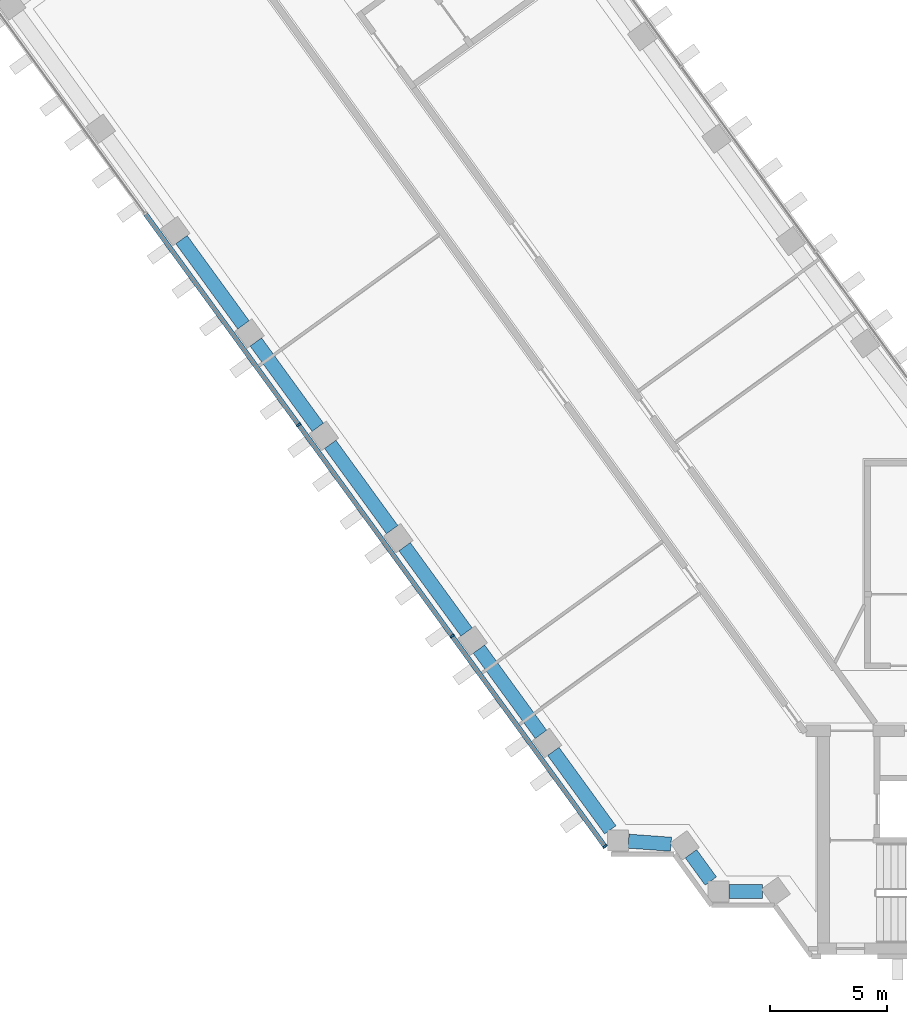
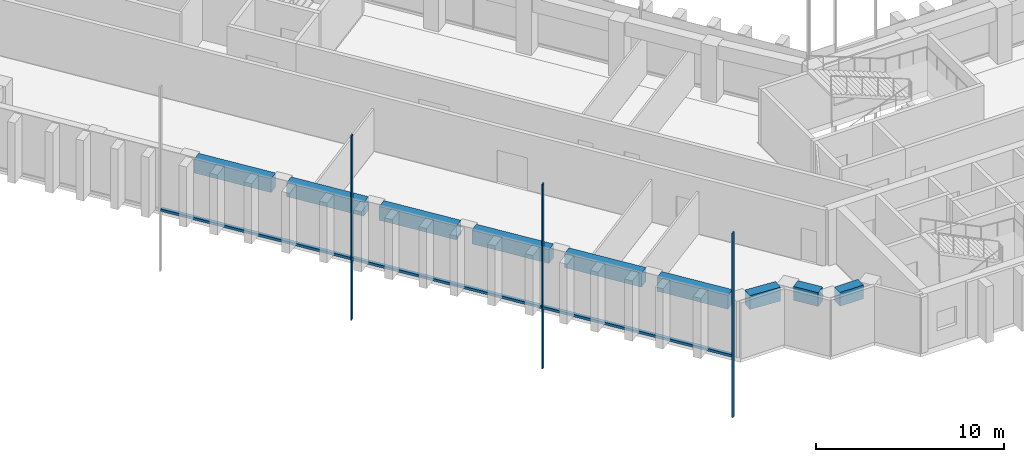
# One storey, part 2 of 16: 9 beams, 6 members, 1 element without a shape of its own.
"""IFC4 building model written with IfcOpenShell, lengths in metres."""

from ifc_helpers import new_model, si_unit, direction, frame, origin, origin_2d, place, context, subcontext, project, spatial, rectangle, extrude, material, material_profile, profile_set, type_object, element, aggregate, save


model = new_model("IFC4")

# Units and contexts
model_context = context("Model", 3, precision=1e-05, world=origin(), true_north=direction((0.0, 1.0)))
body_context = subcontext(model_context, "Body", "Model", "MODEL_VIEW")
ifc_project = project(units=[si_unit("LENGTHUNIT", "METRE"), si_unit("AREAUNIT", "SQUARE_METRE"), si_unit("VOLUMEUNIT", "CUBIC_METRE"), si_unit("PLANEANGLEUNIT", "RADIAN"), si_unit("MASSUNIT", "GRAM", prefix="KILO")], contexts=[model_context])

# Site, building, storey
site_placement = place(None, origin())
site = spatial("IfcSite", under=ifc_project, at=site_placement, CompositionType="ELEMENT")
building_placement = place(site_placement, origin())
building = spatial("IfcBuilding", under=site, at=building_placement, Name="Quipu Civic Tower", CompositionType="ELEMENT")
storey_placement = place(building_placement, frame((0.0, 0.0, 89.0)))
storey = spatial("IfcBuildingStorey", under=building, at=storey_placement, Name="L20", CompositionType="ELEMENT", Elevation=89.0)

# Curtain wall, members
ifc_material_1 = material(Name="Insulated glass unit", Category="glass")
curtain_wall_type = type_object("IfcCurtainWallType", Name="Office curtain wall CW1", PredefinedType="NOTDEFINED", material=ifc_material_1)
curtain_wall_placement = place(storey_placement, origin())
curtain_wall = element("IfcCurtainWall", 1, at=curtain_wall_placement, inside=storey, type_object=curtain_wall_type, Name="Office curtain wall CW1 L19 run 27", PredefinedType="NOTDEFINED")
ifc_material_2 = material(Name="Anodised aluminium", Category="aluminium")
ifc_material_profile_1 = material_profile(ifc_material_2, rectangle(XDim=0.199951171875, YDim=0.080078125, at=origin_2d()), Name="RECT 200x80")
ifc_profile_set_1 = profile_set([ifc_material_profile_1], Name="Anodised aluminium")
member_type_1 = type_object("IfcMemberType", Name="Mullion CW1", PredefinedType="MULLION", material=ifc_profile_set_1)
member_1_placement = place(storey_placement, frame((-42.155029296875, 11.609130859375, -3.919921875), z_axis=(0.0, 0.0, 1.0), x_axis=(0.809016770908, 0.587785559869, 0.0)))
member_1 = element("IfcMember", 2, at=member_1_placement, type_object=member_type_1, Name="CW1 mullion 3", PredefinedType="MULLION", context=body_context, shape_type="SweptSolid", body=[
    extrude(rectangle(XDim=0.199951171875, YDim=0.080078125, at=origin_2d()), origin(), (0.0, 0.0, 1.0), 12.0),
])
member_2_placement = place(storey_placement, frame((-35.60546875, 2.594482421875, -3.919921875), z_axis=(0.0, 0.0, 1.0), x_axis=(0.809016770908, 0.587785559869, 0.0)))
member_2 = element("IfcMember", 3, at=member_2_placement, type_object=member_type_1, Name="CW1 mullion 4", PredefinedType="MULLION", context=body_context, shape_type="SweptSolid", body=[
    extrude(rectangle(XDim=0.199951171875, YDim=0.080078125, at=origin_2d()), origin(), (0.0, 0.0, 1.0), 12.0),
])
member_3_placement = place(storey_placement, frame((-29.079345703125, -6.3876953125, -3.919921875), z_axis=(0.0, 0.0, 1.0), x_axis=(0.809016770908, 0.587785559869, 0.0)))
member_3 = element("IfcMember", 4, at=member_3_placement, type_object=member_type_1, Name="CW1 mullion 5", PredefinedType="MULLION", context=body_context, shape_type="SweptSolid", body=[
    extrude(rectangle(XDim=0.199951171875, YDim=0.080078125, at=origin_2d()), origin(), (0.0, 0.0, 1.0), 12.0),
])

# Beams
ifc_material_3 = material(Name="Concrete C50/60", Category="concrete")
ifc_material_profile_2 = material_profile(ifc_material_3, rectangle(XDim=0.60009765625, YDim=0.89990234375, at=origin_2d()), Name="RC600x900")
ifc_profile_set_2 = profile_set([ifc_material_profile_2], Name="Concrete C50/60")
beam_type = type_object("IfcBeamType", Name="Spandrel beam RC 600x900 C50/60", PredefinedType="SPANDREL", material=ifc_profile_set_2)
beam_1_placement = place(storey_placement, frame((-47.15380859375, 19.5107421875, 3.199951171875), z_axis=(0.587803872688, -0.809003465539, 0.0), x_axis=(0.809003465539, 0.587803872688, 0.0)))
element("IfcBeam", 5, at=beam_1_placement, inside=storey, type_object=beam_type, Name="Spandrel beam L20 W-OUT-06 to W-OUT-05", PredefinedType="SPANDREL", context=body_context, shape_type="SweptSolid", body=[
    extrude(rectangle(XDim=0.60009765625, YDim=0.89990234375, at=origin_2d()), origin(), (0.0, 0.0, 1.0), 4.499755859375),
])
for number, where, z_axis, x_axis, name in (
    (6, (-43.97998046875, 15.14208984375, 3.199951171875), (0.587778073121, -0.809022210299, 0.0), (0.809022210299, 0.587778073121, 0.0), "Spandrel beam L20 W-OUT-05 to W-OUT-04"),
    (7, (-40.805908203125, 10.7734375, 3.199951171875), (0.587778073121, -0.809022210299, 0.0), (0.809022210299, 0.587778073121, 0.0), "Spandrel beam L20 W-OUT-04 to W-OUT-03"),
):
    element("IfcBeam", number, at=place(storey_placement, frame(where, z_axis=z_axis, x_axis=x_axis)), inside=storey, type_object=beam_type, Name=name, PredefinedType="SPANDREL", context=body_context, shape_type="SweptSolid", body=[
        extrude(rectangle(XDim=0.60009765625, YDim=0.89990234375, at=origin_2d()), origin(), (0.0, 0.0, 1.0), 4.5),
    ])
beam_2_placement = place(storey_placement, frame((-37.6318359375, 6.404541015625, 3.199951171875), z_axis=(0.587803872688, -0.809003465539, 0.0), x_axis=(0.809003465539, 0.587803872688, 0.0)))
element("IfcBeam", 8, at=beam_2_placement, inside=storey, type_object=beam_type, Name="Spandrel beam L20 W-OUT-03 to W-OUT-02", PredefinedType="SPANDREL", context=body_context, shape_type="SweptSolid", body=[
    extrude(rectangle(XDim=0.60009765625, YDim=0.89990234375, at=origin_2d()), origin(), (0.0, 0.0, 1.0), 4.499755859375),
])
beam_3_placement = place(storey_placement, frame((-34.457763671875, 2.035888671875, 3.199951171875), z_axis=(0.587778073121, -0.809022210299, 0.0), x_axis=(0.809022210299, 0.587778073121, 0.0)))
element("IfcBeam", 9, at=beam_3_placement, inside=storey, type_object=beam_type, Name="Spandrel beam L20 W-OUT-02 to W-OUT-01", PredefinedType="SPANDREL", context=body_context, shape_type="SweptSolid", body=[
    extrude(rectangle(XDim=0.60009765625, YDim=0.89990234375, at=origin_2d()), origin(), (0.0, 0.0, 1.0), 4.5),
])
beam_4_placement = place(storey_placement, frame((-31.28369140625, -2.332763671875, 3.199951171875), z_axis=(0.587750565781, -0.809042194464, 0.0), x_axis=(0.809042194464, 0.587750565781, 0.0)))
element("IfcBeam", 10, at=beam_4_placement, inside=storey, type_object=beam_type, Name="Spandrel beam L20 W-OUT-01 to J-Wo.0", PredefinedType="SPANDREL", context=body_context, shape_type="SweptSolid", body=[
    extrude(rectangle(XDim=0.60009765625, YDim=0.89990234375, at=origin_2d()), origin(), (0.0, 0.0, 1.0), 4.13720703125),
])
beam_5_placement = place(storey_placement, frame((-28.074951171875, -6.16259765625, 3.199951171875), z_axis=(0.997367229877, -0.072516265536, 0.0), x_axis=(0.072516265536, 0.997367229877, 0.0)))
element("IfcBeam", 11, at=beam_5_placement, inside=storey, type_object=beam_type, Name="Spandrel beam L20 J-Wo.0 to J-Wo.1", PredefinedType="SPANDREL", context=body_context, shape_type="SweptSolid", body=[
    extrude(rectangle(XDim=0.60009765625, YDim=0.89990234375, at=origin_2d()), origin(), (0.0, 0.0, 1.0), 1.818115234375),
])
beam_6_placement = place(storey_placement, frame((-25.40966796875, -6.700927734375, 3.199951171875), z_axis=(0.588433824377, -0.808545381738, 0.0), x_axis=(0.808545381738, 0.588433824377, 0.0)))
element("IfcBeam", 12, at=beam_6_placement, inside=storey, type_object=beam_type, Name="Spandrel beam L20 J-Wo.1 to J-Wo.2", PredefinedType="SPANDREL", context=body_context, shape_type="SweptSolid", body=[
    extrude(rectangle(XDim=0.60009765625, YDim=0.89990234375, at=origin_2d()), origin(), (0.0, 0.0, 1.0), 1.439697265625),
])
beam_7_placement = place(storey_placement, frame((-23.784912109375, -8.31494140625, 3.199951171875), z_axis=(1.0, 0.0, 0.0), x_axis=(0.0, 1.0, 0.0)))
element("IfcBeam", 13, at=beam_7_placement, inside=storey, type_object=beam_type, Name="Spandrel beam L20 J-Wo.2 to J-Wo.3", PredefinedType="SPANDREL", context=body_context, shape_type="SweptSolid", body=[
    extrude(rectangle(XDim=0.60009765625, YDim=0.89990234375, at=origin_2d()), origin(), (0.0, 0.0, 1.0), 1.436767578125),
])

# Member
ifc_material_4 = material(Name="Anodised aluminium", Category="aluminium")
ifc_material_profile_3 = material_profile(ifc_material_4, rectangle(XDim=0.199951171875, YDim=0.159912109375, at=origin_2d()), Name="RECT 200x160")
ifc_profile_set_3 = profile_set([ifc_material_profile_3], Name="Anodised aluminium")
member_type_2 = type_object("IfcMemberType", Name="Transom CW1", PredefinedType="USERDEFINED", material=ifc_profile_set_3)
member_4_placement = place(storey_placement, frame((-48.68115234375, 20.591552734375, 0.080078125), z_axis=(0.587795037589, -0.80900988485, 0.0), x_axis=(0.80900988485, 0.587795037589, 0.0)))
member_4 = element("IfcMember", 14, at=member_4_placement, type_object=member_type_2, Name="CW1 transom 2.2", ObjectType="TRANSOM", PredefinedType="USERDEFINED", context=body_context, shape_type="SweptSolid", body=[
    extrude(rectangle(XDim=0.199951171875, YDim=0.159912109375, at=origin_2d()), origin(), (0.0, 0.0, 1.0), 11.062744140625),
])

member_5_placement = place(storey_placement, frame((-42.131591796875, 11.576904296875, 0.080078125), z_axis=(0.587795037589, -0.80900988485, 0.0), x_axis=(0.80900988485, 0.587795037589, 0.0)))
member_5 = element("IfcMember", 15, at=member_5_placement, type_object=member_type_2, Name="CW1 transom 3.2", ObjectType="TRANSOM", PredefinedType="USERDEFINED", context=body_context, shape_type="SweptSolid", body=[
    extrude(rectangle(XDim=0.199951171875, YDim=0.159912109375, at=origin_2d()), origin(), (0.0, 0.0, 1.0), 11.062744140625),
])

member_6_placement = place(storey_placement, frame((-35.58203125, 2.562255859375, 0.080078125), z_axis=(0.587779179422, -0.809021406539, 0.0), x_axis=(0.809021406539, 0.587779179422, 0.0)))
member_6 = element("IfcMember", 16, at=member_6_placement, type_object=member_type_2, Name="CW1 transom 4.2", ObjectType="TRANSOM", PredefinedType="USERDEFINED", context=body_context, shape_type="SweptSolid", body=[
    extrude(rectangle(XDim=0.199951171875, YDim=0.159912109375, at=origin_2d()), origin(), (0.0, 0.0, 1.0), 11.02294921875),
])

aggregate(curtain_wall, [member_1, member_2, member_3, member_4, member_5, member_6])

save(model, "model.ifc")
